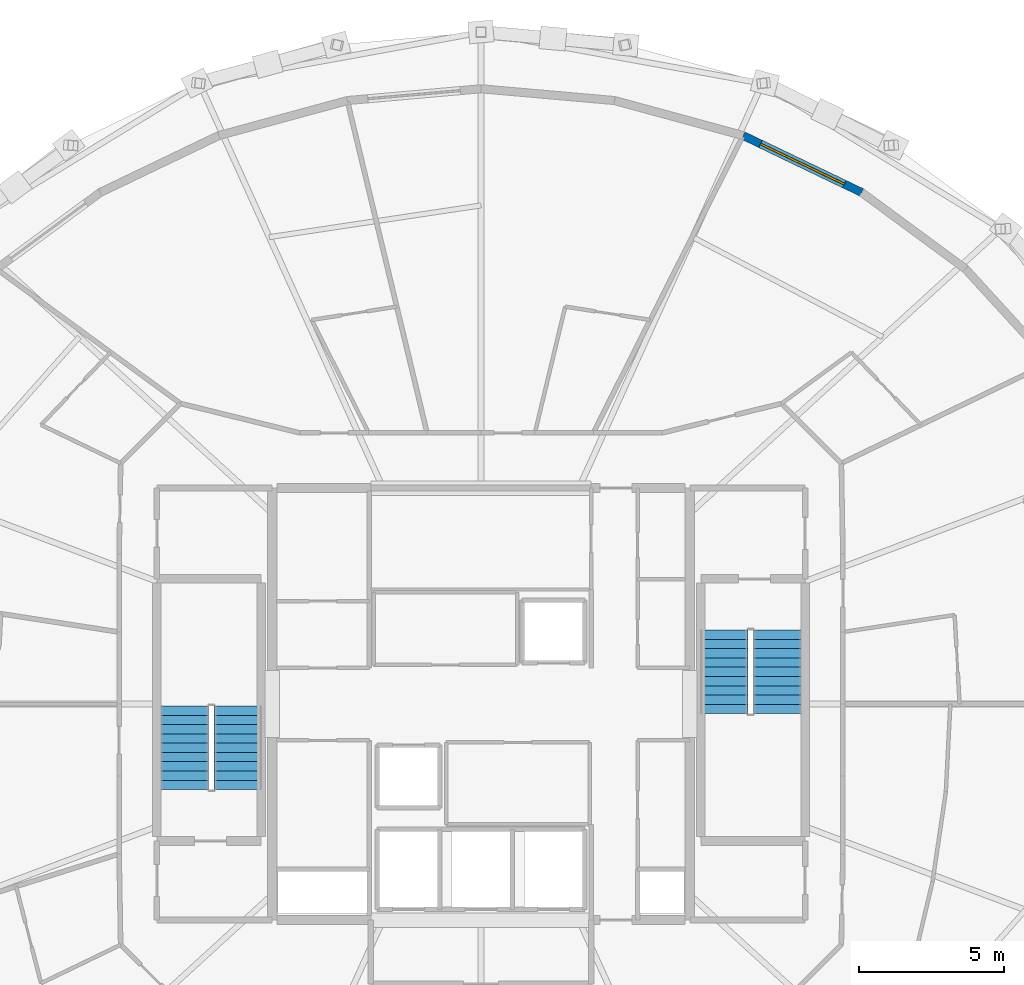
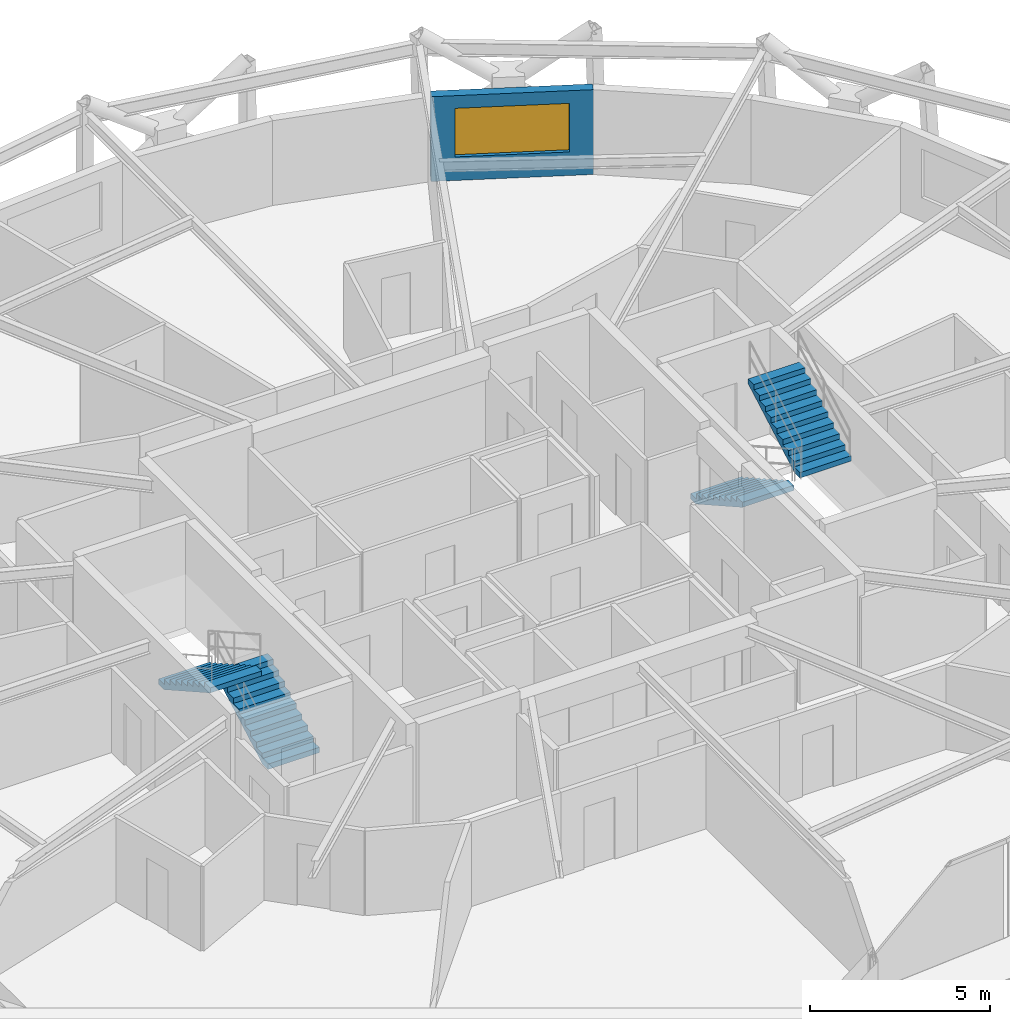
# One storey, part 16 of 17: 4 stair flights, 1 wall, 1 window, 1 opening, 2 elements without a shape of their own.
"""IFC4 building model written with IfcOpenShell, lengths in metres."""

from ifc_helpers import new_model, si_unit, direction, frame, frame_2d, origin, place, context, subcontext, project, spatial, polyline, rectangle, outline, extrude, material, layer, layer_set, type_object, element, fill, aggregate, save


model = new_model("IFC4")

# Units and contexts
model_context = context("Model", 3, precision=1e-05, world=origin(), true_north=direction((0.0, 1.0)))
body_context = subcontext(model_context, "Body", "Model", "MODEL_VIEW")
ifc_project = project(units=[si_unit("LENGTHUNIT", "METRE"), si_unit("AREAUNIT", "SQUARE_METRE"), si_unit("VOLUMEUNIT", "CUBIC_METRE"), si_unit("PLANEANGLEUNIT", "RADIAN"), si_unit("MASSUNIT", "GRAM", prefix="KILO")], contexts=[model_context])

# Site, building, storey
site_placement = place(None, origin())
site = spatial("IfcSite", under=ifc_project, at=site_placement, CompositionType="ELEMENT")
building_placement = place(site_placement, origin())
building = spatial("IfcBuilding", under=site, at=building_placement, Name="Veldorina Hangang Commons", CompositionType="ELEMENT")
storey_placement = place(building_placement, frame((0.0, 0.0, 214.800048828125)))
storey = spatial("IfcBuildingStorey", under=building, at=storey_placement, Name="L55", CompositionType="ELEMENT", Elevation=214.800048828125)

# Wall, opening, window
ifc_material_1 = material(Name="Stone Roman Travertine", Category="masonry")
ifc_layer = layer(ifc_material_1, 0.280029296875)
ifc_layer_set = layer_set([ifc_layer], Name="Stone Roman Travertine")
wall_type = type_object("IfcWallType", Name="EW-TRAV-280", PredefinedType="STANDARD", material=ifc_layer_set)
wall_placement = place(storey_placement, frame((45.128173828125, 41.642822265625, 0.0), z_axis=(0.0, 0.0, 1.0), x_axis=(-0.90155079899, 0.432673267999, 0.0)))
wall = element("IfcWall", 1, at=wall_placement, inside=storey, type_object=wall_type, Name="L55 travertine facade wall 05", PredefinedType="STANDARD", context=body_context, shape_type="SweptSolid", body=[
    extrude(rectangle(XDim=4.531494140625, YDim=0.280029296875, at=frame_2d((2.265625, 0.0))), origin(), (0.0, 0.0, 1.0), 2.8798828125),
])
opening_placement = place(wall_placement, frame((0.665771484375, 0.0, 0.800048828125)))
opening = element("IfcOpeningElement", 2, at=opening_placement, cuts=wall, Name="Opening W-01", PredefinedType="OPENING", context=body_context, shape_type="SweptSolid", body=[
    extrude(rectangle(XDim=3.199951171875, YDim=1.64990234375, at=frame_2d((1.60009765625, 0.824951171875))), frame((0.0, 0.14990234375, 0.0), z_axis=(0.0, -1.0, 0.0), x_axis=(1.0, 0.0, 0.0)), (0.0, 0.0, 1.0), 0.300048828125),
])
ifc_material_2 = material(Name="Glass Low-E Triple IGU", Category="glass")
window_type = type_object("IfcWindowType", Name="WIN-TWR-3200", PartitioningType="SINGLE_PANEL", PredefinedType="WINDOW", material=ifc_material_2)
window_placement = place(opening_placement, origin())
window = element("IfcWindow", 3, at=window_placement, inside=storey, type_object=window_type, Name="L55 facade window 05", OverallHeight=1.64990234375, OverallWidth=3.199951171875, PartitioningType="SINGLE_PANEL", PredefinedType="WINDOW", context=body_context, shape_type="SweptSolid", body=[
    extrude(rectangle(XDim=3.199951171875, YDim=1.64990234375, at=frame_2d((1.60009765625, 0.824951171875))), frame((0.0, 0.030029296875, 0.0), z_axis=(0.0, -1.0, 0.0), x_axis=(1.0, 0.0, 0.0)), (0.0, 0.0, 1.0), 0.06005859375),
])
fill(opening, window)

# Stair, stair flights
ifc_material_3 = material(Name="Concrete C40/50", Category="concrete")
stair_type = type_object("IfcStairType", Name="STR-DOG-1650-20R", PredefinedType="HALF_TURN_STAIR", material=ifc_material_3)
stair_1_placement = place(storey_placement, origin())
stair_1 = element("IfcStair", 4, at=stair_1_placement, inside=storey, type_object=stair_type, Name="L55 Exit stair ST-1", PredefinedType="HALF_TURN_STAIR")
stair_flight_type = type_object("IfcStairFlightType", Name="SFL-STR-1650-20R", PredefinedType="STRAIGHT", material=ifc_material_3)
stair_flight_1_placement = place(storey_placement, frame((23.625, 21.050048828125, 0.0), z_axis=(0.0, 0.0, 1.0), x_axis=(0.0, 1.0, 0.0)))
stair_flight_1 = element("IfcStairFlight", 5, at=stair_flight_1_placement, type_object=stair_flight_type, Name="ST-1 flight 1", NumberOfRisers=10, NumberOfTreads=9, PredefinedType="STRAIGHT", RiserHeight=0.18, TreadLength=0.32, context=body_context, shape_type="SweptSolid", body=[
    extrude(outline(polyline([(0.0, 0.0), (0.0, 0.179931640625), (0.320068359375, 0.179931640625), (0.320068359375, 0.360107421875), (0.639892578125, 0.360107421875), (0.639892578125, 0.5400390625), (0.9599609375, 0.5400390625), (0.9599609375, 0.719970703125), (1.280029296875, 0.719970703125), (1.280029296875, 0.89990234375), (1.60009765625, 0.89990234375), (1.60009765625, 1.080078125), (1.919921875, 1.080078125), (1.919921875, 1.260009765625), (2.239990234375, 1.260009765625), (2.239990234375, 1.43994140625), (2.56005859375, 1.43994140625), (2.56005859375, 1.6201171875), (2.8798828125, 1.6201171875), (2.8798828125, 1.800048828125), (2.8798828125, 1.447998046875), (0.3056640625, 0.0), (0.0, 0.0)])), frame((0.0, 0.824951171875, 0.0), z_axis=(0.0, -1.0, 0.0), x_axis=(1.0, 0.0, 0.0)), (0.0, 0.0, 1.0), 1.64990234375),
])
stair_flight_2_placement = place(storey_placement, frame((21.77490234375, 23.929931640625, 1.800048828125), z_axis=(0.0, 0.0, 1.0), x_axis=(0.0, -1.0, 0.0)))
stair_flight_2 = element("IfcStairFlight", 6, at=stair_flight_2_placement, type_object=stair_flight_type, Name="ST-1 flight 2", NumberOfRisers=10, NumberOfTreads=9, PredefinedType="STRAIGHT", RiserHeight=0.18, TreadLength=0.32, context=body_context, shape_type="SweptSolid", body=[
    extrude(outline(polyline([(0.0, 0.0), (0.0, 0.179931640625), (0.320068359375, 0.179931640625), (0.320068359375, 0.360107421875), (0.639892578125, 0.360107421875), (0.639892578125, 0.5400390625), (0.9599609375, 0.5400390625), (0.9599609375, 0.719970703125), (1.280029296875, 0.719970703125), (1.280029296875, 0.89990234375), (1.60009765625, 0.89990234375), (1.60009765625, 1.080078125), (1.919921875, 1.080078125), (1.919921875, 1.260009765625), (2.239990234375, 1.260009765625), (2.239990234375, 1.43994140625), (2.56005859375, 1.43994140625), (2.56005859375, 1.6201171875), (2.8798828125, 1.6201171875), (2.8798828125, 1.800048828125), (2.8798828125, 1.447998046875), (0.3056640625, 0.0), (0.0, 0.0)])), frame((0.0, 0.824951171875, 0.0), z_axis=(0.0, -1.0, 0.0), x_axis=(1.0, 0.0, 0.0)), (0.0, 0.0, 1.0), 1.64990234375),
])
aggregate(stair_1, [stair_flight_1, stair_flight_2])

stair_2_placement = place(storey_placement, origin())
stair_2 = element("IfcStair", 7, at=stair_2_placement, inside=storey, type_object=stair_type, Name="L55 Exit stair ST-2", PredefinedType="HALF_TURN_STAIR")
stair_flight_3_placement = place(storey_placement, frame((40.375, 26.550048828125, 0.0), z_axis=(0.0, 0.0, 1.0), x_axis=(0.0, -1.0, 0.0)))
stair_flight_3 = element("IfcStairFlight", 8, at=stair_flight_3_placement, type_object=stair_flight_type, Name="ST-2 flight 1", NumberOfRisers=10, NumberOfTreads=9, PredefinedType="STRAIGHT", RiserHeight=0.18, TreadLength=0.32, context=body_context, shape_type="SweptSolid", body=[
    extrude(outline(polyline([(0.0, 0.0), (0.0, 0.179931640625), (0.320068359375, 0.179931640625), (0.320068359375, 0.360107421875), (0.639892578125, 0.360107421875), (0.639892578125, 0.5400390625), (0.9599609375, 0.5400390625), (0.9599609375, 0.719970703125), (1.280029296875, 0.719970703125), (1.280029296875, 0.89990234375), (1.60009765625, 0.89990234375), (1.60009765625, 1.080078125), (1.919921875, 1.080078125), (1.919921875, 1.260009765625), (2.239990234375, 1.260009765625), (2.239990234375, 1.43994140625), (2.56005859375, 1.43994140625), (2.56005859375, 1.6201171875), (2.8798828125, 1.6201171875), (2.8798828125, 1.800048828125), (2.8798828125, 1.447998046875), (0.3056640625, 0.0), (0.0, 0.0)])), frame((0.0, 0.824951171875, 0.0), z_axis=(0.0, -1.0, 0.0), x_axis=(1.0, 0.0, 0.0)), (0.0, 0.0, 1.0), 1.64990234375),
])
stair_flight_4_placement = place(storey_placement, frame((42.22509765625, 23.669921875, 1.800048828125), z_axis=(0.0, 0.0, 1.0), x_axis=(0.0, 1.0, 0.0)))
stair_flight_4 = element("IfcStairFlight", 9, at=stair_flight_4_placement, type_object=stair_flight_type, Name="ST-2 flight 2", NumberOfRisers=10, NumberOfTreads=9, PredefinedType="STRAIGHT", RiserHeight=0.18, TreadLength=0.32, context=body_context, shape_type="SweptSolid", body=[
    extrude(outline(polyline([(0.0, 0.0), (0.0, 0.179931640625), (0.320068359375, 0.179931640625), (0.320068359375, 0.360107421875), (0.639892578125, 0.360107421875), (0.639892578125, 0.5400390625), (0.9599609375, 0.5400390625), (0.9599609375, 0.719970703125), (1.280029296875, 0.719970703125), (1.280029296875, 0.89990234375), (1.60009765625, 0.89990234375), (1.60009765625, 1.080078125), (1.919921875, 1.080078125), (1.919921875, 1.260009765625), (2.239990234375, 1.260009765625), (2.239990234375, 1.43994140625), (2.56005859375, 1.43994140625), (2.56005859375, 1.6201171875), (2.8798828125, 1.6201171875), (2.8798828125, 1.800048828125), (2.8798828125, 1.447998046875), (0.3056640625, 0.0), (0.0, 0.0)])), frame((0.0, 0.824951171875, 0.0), z_axis=(0.0, -1.0, 0.0), x_axis=(1.0, 0.0, 0.0)), (0.0, 0.0, 1.0), 1.64990234375),
])
aggregate(stair_2, [stair_flight_3, stair_flight_4])

save(model, "model.ifc")
